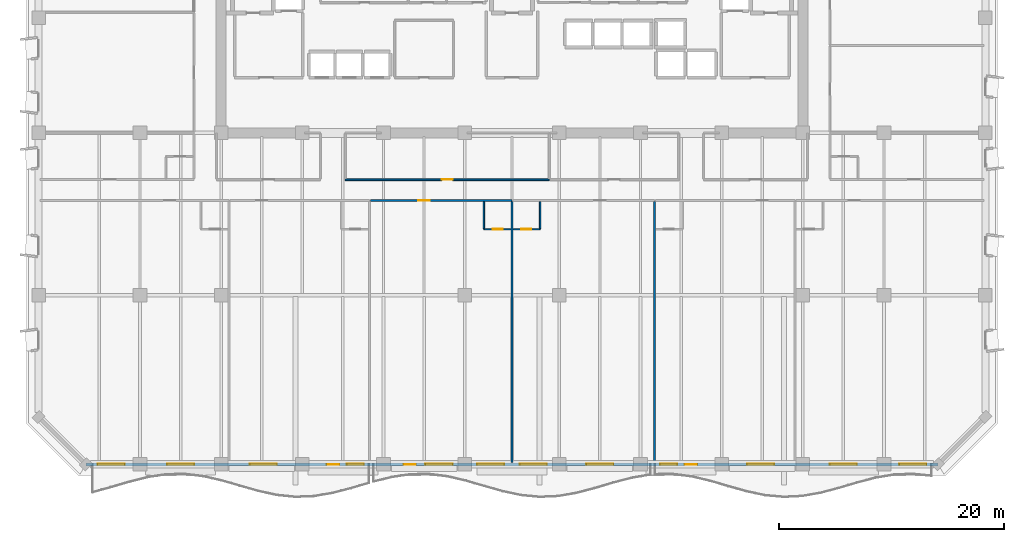
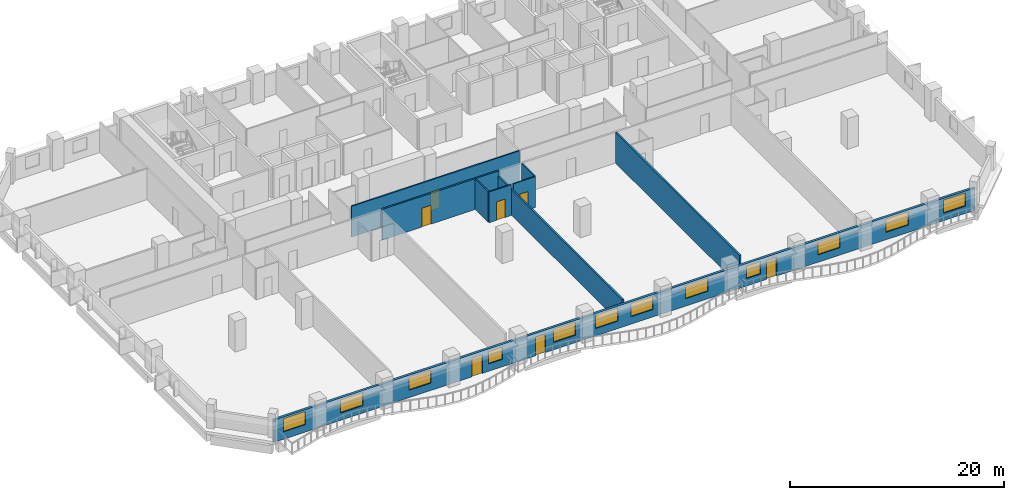
# One storey, part 5 of 15: 12 windows, 9 walls, 7 doors, 19 openings.
"""IFC4 building model written with IfcOpenShell, lengths in metres."""

from ifc_helpers import new_model, si_unit, direction, frame, frame_2d, origin, place, context, subcontext, project, spatial, rectangle, extrude, material, layer, layer_set, type_object, element, fill, save


model = new_model("IFC4")

# Units and contexts
model_context = context("Model", 3, precision=1e-05, world=origin(), true_north=direction((0.0, 1.0)))
body_context = subcontext(model_context, "Body", "Model", "MODEL_VIEW")
ifc_project = project(units=[si_unit("LENGTHUNIT", "METRE"), si_unit("AREAUNIT", "SQUARE_METRE"), si_unit("VOLUMEUNIT", "CUBIC_METRE"), si_unit("PLANEANGLEUNIT", "RADIAN"), si_unit("MASSUNIT", "GRAM", prefix="KILO")], contexts=[model_context])

# Site, building, storey
site_placement = place(None, origin())
site = spatial("IfcSite", under=ifc_project, at=site_placement, CompositionType="ELEMENT")
building_placement = place(site_placement, origin())
building = spatial("IfcBuilding", under=site, at=building_placement, Name="Kaelvorn Grand Hotel", CompositionType="ELEMENT")
storey_placement = place(building_placement, frame((0.0, 0.0, 108.050048828125)))
storey = spatial("IfcBuildingStorey", under=building, at=storey_placement, Name="L25", CompositionType="ELEMENT", Elevation=108.050048828125)

# Wall, openings, doors, windows
ifc_material_1 = material(Name="Concrete C40/50", Category="concrete")
ifc_layer_1 = layer(ifc_material_1, 0.260009765625)
ifc_layer_set_1 = layer_set([ifc_layer_1], Name="Concrete C40/50")
wall_type_1 = type_object("IfcWallType", Name="WL-EXT-260-C40", PredefinedType="SOLIDWALL", material=ifc_layer_set_1)
wall_1_placement = place(storey_placement, frame((4.199951171875, 0.0, 0.0), z_axis=(0.0, 0.0, 1.0), x_axis=(1.0, 0.0, 0.0)))
wall_1 = element("IfcWall", 1, at=wall_1_placement, inside=storey, type_object=wall_type_1, Name="L25 Exterior Architectural Concrete Wall 01", PredefinedType="SOLIDWALL", context=body_context, shape_type="SweptSolid", body=[
    extrude(rectangle(XDim=75.60009765625, YDim=0.260009765625, at=frame_2d((37.800048828125, 0.0))), origin(), (0.0, 0.0, 1.0), 2.56005859375),
])
opening_1_placement = place(wall_1_placement, frame((21.38330078125, 0.0, 0.0)))
opening_1 = element("IfcOpeningElement", 2, at=opening_1_placement, cuts=wall_1, Name="Opening DE2", PredefinedType="OPENING", context=body_context, shape_type="SweptSolid", body=[
    extrude(rectangle(XDim=1.10009765625, YDim=2.14990234375, at=frame_2d((0.550048828125, 1.074951171875))), frame((0.0, 0.14013671875, 0.0), z_axis=(0.0, -1.0, 0.0), x_axis=(1.0, 0.0, 0.0)), (0.0, 0.0, 1.0), 0.280029296875),
])
opening_2_placement = place(wall_1_placement, frame((28.183349609375, 0.0, 0.0)))
opening_2 = element("IfcOpeningElement", 3, at=opening_2_placement, cuts=wall_1, Name="Opening DE2", PredefinedType="OPENING", context=body_context, shape_type="SweptSolid", body=[
    extrude(rectangle(XDim=1.10009765625, YDim=2.14990234375, at=frame_2d((0.550048828125, 1.074951171875))), frame((0.0, 0.14013671875, 0.0), z_axis=(0.0, -1.0, 0.0), x_axis=(1.0, 0.0, 0.0)), (0.0, 0.0, 1.0), 0.280029296875),
])
opening_3_placement = place(wall_1_placement, frame((53.11669921875, 0.0, 0.0)))
opening_3 = element("IfcOpeningElement", 4, at=opening_3_placement, cuts=wall_1, Name="Opening DE2", PredefinedType="OPENING", context=body_context, shape_type="SweptSolid", body=[
    extrude(rectangle(XDim=1.10009765625, YDim=2.14990234375, at=frame_2d((0.550048828125, 1.074951171875))), frame((0.0, 0.14013671875, 0.0), z_axis=(0.0, -1.0, 0.0), x_axis=(1.0, 0.0, 0.0)), (0.0, 0.0, 1.0), 0.280029296875),
])
opening_4_placement = place(wall_1_placement, frame((1.034912109375, 0.0, 0.85009765625)))
opening_4 = element("IfcOpeningElement", 5, at=opening_4_placement, cuts=wall_1, Name="Opening W6", PredefinedType="OPENING", context=body_context, shape_type="SweptSolid", body=[
    extrude(rectangle(XDim=2.39990234375, YDim=1.5, at=frame_2d((1.199951171875, 0.75))), frame((0.0, 0.14013671875, 0.0), z_axis=(0.0, -1.0, 0.0), x_axis=(1.0, 0.0, 0.0)), (0.0, 0.0, 1.0), 0.280029296875),
])
opening_5_placement = place(wall_1_placement, frame((7.199951171875, 0.0, 0.85009765625)))
opening_5 = element("IfcOpeningElement", 6, at=opening_5_placement, cuts=wall_1, Name="Opening W6", PredefinedType="OPENING", context=body_context, shape_type="SweptSolid", body=[
    extrude(rectangle(XDim=2.39990234375, YDim=1.5, at=frame_2d((1.199951171875, 0.75))), frame((0.0, 0.14013671875, 0.0), z_axis=(0.0, -1.0, 0.0), x_axis=(1.0, 0.0, 0.0)), (0.0, 0.0, 1.0), 0.280029296875),
])
opening_6_placement = place(wall_1_placement, frame((14.550048828125, 0.0, 0.85009765625)))
opening_6 = element("IfcOpeningElement", 7, at=opening_6_placement, cuts=wall_1, Name="Opening W6", PredefinedType="OPENING", context=body_context, shape_type="SweptSolid", body=[
    extrude(rectangle(XDim=2.39990234375, YDim=1.5, at=frame_2d((1.199951171875, 0.75))), frame((0.0, 0.14013671875, 0.0), z_axis=(0.0, -1.0, 0.0), x_axis=(1.0, 0.0, 0.0)), (0.0, 0.0, 1.0), 0.280029296875),
])
opening_7_placement = place(wall_1_placement, frame((23.151123046875, 0.0, 0.85009765625)))
opening_7 = element("IfcOpeningElement", 8, at=opening_7_placement, cuts=wall_1, Name="Opening W10", PredefinedType="OPENING", context=body_context, shape_type="SweptSolid", body=[
    extrude(rectangle(XDim=1.5, YDim=1.39990234375, at=frame_2d((0.75, 0.699951171875))), frame((0.0, 0.14013671875, 0.0), z_axis=(0.0, -1.0, 0.0), x_axis=(1.0, 0.0, 0.0)), (0.0, 0.0, 1.0), 0.280029296875),
])
opening_8_placement = place(wall_1_placement, frame((30.126708984375, 0.0, 0.85009765625)))
opening_8 = element("IfcOpeningElement", 9, at=opening_8_placement, cuts=wall_1, Name="Opening W6", PredefinedType="OPENING", context=body_context, shape_type="SweptSolid", body=[
    extrude(rectangle(XDim=2.39990234375, YDim=1.5, at=frame_2d((1.199951171875, 0.75))), frame((0.0, 0.14013671875, 0.0), z_axis=(0.0, -1.0, 0.0), x_axis=(1.0, 0.0, 0.0)), (0.0, 0.0, 1.0), 0.280029296875),
])
opening_9_placement = place(wall_1_placement, frame((34.699951171875, 0.0, 0.85009765625)))
opening_9 = element("IfcOpeningElement", 10, at=opening_9_placement, cuts=wall_1, Name="Opening W6", PredefinedType="OPENING", context=body_context, shape_type="SweptSolid", body=[
    extrude(rectangle(XDim=2.39990234375, YDim=1.5, at=frame_2d((1.199951171875, 0.75))), frame((0.0, 0.14013671875, 0.0), z_axis=(0.0, -1.0, 0.0), x_axis=(1.0, 0.0, 0.0)), (0.0, 0.0, 1.0), 0.280029296875),
])
opening_10_placement = place(wall_1_placement, frame((38.5, 0.0, 0.85009765625)))
opening_10 = element("IfcOpeningElement", 11, at=opening_10_placement, cuts=wall_1, Name="Opening W6", PredefinedType="OPENING", context=body_context, shape_type="SweptSolid", body=[
    extrude(rectangle(XDim=2.39990234375, YDim=1.5, at=frame_2d((1.199951171875, 0.75))), frame((0.0, 0.14013671875, 0.0), z_axis=(0.0, -1.0, 0.0), x_axis=(1.0, 0.0, 0.0)), (0.0, 0.0, 1.0), 0.280029296875),
])
opening_11_placement = place(wall_1_placement, frame((44.39990234375, 0.0, 0.85009765625)))
opening_11 = element("IfcOpeningElement", 12, at=opening_11_placement, cuts=wall_1, Name="Opening W6", PredefinedType="OPENING", context=body_context, shape_type="SweptSolid", body=[
    extrude(rectangle(XDim=2.39990234375, YDim=1.5, at=frame_2d((1.199951171875, 0.75))), frame((0.0, 0.14013671875, 0.0), z_axis=(0.0, -1.0, 0.0), x_axis=(1.0, 0.0, 0.0)), (0.0, 0.0, 1.0), 0.280029296875),
])
opening_12_placement = place(wall_1_placement, frame((50.948974609375, 0.0, 0.85009765625)))
opening_12 = element("IfcOpeningElement", 13, at=opening_12_placement, cuts=wall_1, Name="Opening W10", PredefinedType="OPENING", context=body_context, shape_type="SweptSolid", body=[
    extrude(rectangle(XDim=1.5, YDim=1.39990234375, at=frame_2d((0.75, 0.699951171875))), frame((0.0, 0.14013671875, 0.0), z_axis=(0.0, -1.0, 0.0), x_axis=(1.0, 0.0, 0.0)), (0.0, 0.0, 1.0), 0.280029296875),
])
opening_13_placement = place(wall_1_placement, frame((58.64990234375, 0.0, 0.85009765625)))
opening_13 = element("IfcOpeningElement", 14, at=opening_13_placement, cuts=wall_1, Name="Opening W6", PredefinedType="OPENING", context=body_context, shape_type="SweptSolid", body=[
    extrude(rectangle(XDim=2.39990234375, YDim=1.5, at=frame_2d((1.199951171875, 0.75))), frame((0.0, 0.14013671875, 0.0), z_axis=(0.0, -1.0, 0.0), x_axis=(1.0, 0.0, 0.0)), (0.0, 0.0, 1.0), 0.280029296875),
])
opening_14_placement = place(wall_1_placement, frame((66.0, 0.0, 0.85009765625)))
opening_14 = element("IfcOpeningElement", 15, at=opening_14_placement, cuts=wall_1, Name="Opening W6", PredefinedType="OPENING", context=body_context, shape_type="SweptSolid", body=[
    extrude(rectangle(XDim=2.39990234375, YDim=1.5, at=frame_2d((1.199951171875, 0.75))), frame((0.0, 0.14013671875, 0.0), z_axis=(0.0, -1.0, 0.0), x_axis=(1.0, 0.0, 0.0)), (0.0, 0.0, 1.0), 0.280029296875),
])
opening_15_placement = place(wall_1_placement, frame((72.1650390625, 0.0, 0.85009765625)))
opening_15 = element("IfcOpeningElement", 16, at=opening_15_placement, cuts=wall_1, Name="Opening W6", PredefinedType="OPENING", context=body_context, shape_type="SweptSolid", body=[
    extrude(rectangle(XDim=2.39990234375, YDim=1.5, at=frame_2d((1.199951171875, 0.75))), frame((0.0, 0.14013671875, 0.0), z_axis=(0.0, -1.0, 0.0), x_axis=(1.0, 0.0, 0.0)), (0.0, 0.0, 1.0), 0.280029296875),
])
ifc_material_2 = material(Name="Anodised Aluminium", Category="aluminium")
door_type_1 = type_object("IfcDoorType", Name="DR-EXT-BALC-1100x2150", OperationType="NOTDEFINED", PredefinedType="DOOR", material=ifc_material_2)
door_1_placement = place(opening_1_placement, origin())
door_1 = element("IfcDoor", 17, at=door_1_placement, inside=storey, type_object=door_type_1, Name="L25 Scalloped Balcony Glazed Door DE2-1", OperationType="SINGLE_SWING_LEFT", OverallHeight=2.14990234375, OverallWidth=1.10009765625, PredefinedType="DOOR", context=body_context, shape_type="SweptSolid", body=[
    extrude(rectangle(XDim=1.10009765625, YDim=2.14990234375, at=frame_2d((0.550048828125, 1.074951171875))), frame((0.0, 0.02490234375, 0.0), z_axis=(0.0, -1.0, 0.0), x_axis=(1.0, 0.0, 0.0)), (0.0, 0.0, 1.0), 0.050048828125),
])
fill(opening_1, door_1)
door_2_placement = place(opening_2_placement, origin())
door_2 = element("IfcDoor", 18, at=door_2_placement, inside=storey, type_object=door_type_1, Name="L25 Scalloped Balcony Glazed Door DE2-2", OperationType="SINGLE_SWING_RIGHT", OverallHeight=2.14990234375, OverallWidth=1.10009765625, PredefinedType="DOOR", context=body_context, shape_type="SweptSolid", body=[
    extrude(rectangle(XDim=1.10009765625, YDim=2.14990234375, at=frame_2d((0.550048828125, 1.074951171875))), frame((0.0, 0.02490234375, 0.0), z_axis=(0.0, -1.0, 0.0), x_axis=(1.0, 0.0, 0.0)), (0.0, 0.0, 1.0), 0.050048828125),
])
fill(opening_2, door_2)
door_3_placement = place(opening_3_placement, origin())
door_3 = element("IfcDoor", 19, at=door_3_placement, inside=storey, type_object=door_type_1, Name="L25 Scalloped Balcony Glazed Door DE2-3", OperationType="SINGLE_SWING_LEFT", OverallHeight=2.14990234375, OverallWidth=1.10009765625, PredefinedType="DOOR", context=body_context, shape_type="SweptSolid", body=[
    extrude(rectangle(XDim=1.10009765625, YDim=2.14990234375, at=frame_2d((0.550048828125, 1.074951171875))), frame((0.0, 0.02490234375, 0.0), z_axis=(0.0, -1.0, 0.0), x_axis=(1.0, 0.0, 0.0)), (0.0, 0.0, 1.0), 0.050048828125),
])
fill(opening_3, door_3)
ifc_material_3 = material(Name="Laminated Low-E Glass", Category="glass")
window_type_1 = type_object("IfcWindowType", Name="WIN-COR-1500x1400", PartitioningType="SINGLE_PANEL", PredefinedType="WINDOW", material=ifc_material_3)
window_1_placement = place(opening_7_placement, origin())
window_1 = element("IfcWindow", 20, at=window_1_placement, inside=storey, type_object=window_type_1, Name="L25 South Guestroom Ribbon Window SR04", OverallHeight=1.39990234375, OverallWidth=1.5, PartitioningType="SINGLE_PANEL", PredefinedType="WINDOW", context=body_context, shape_type="SweptSolid", body=[
    extrude(rectangle(XDim=1.5, YDim=1.39990234375, at=frame_2d((0.75, 0.699951171875))), frame((0.0, 0.030029296875, 0.0), z_axis=(0.0, -1.0, 0.0), x_axis=(1.0, 0.0, 0.0)), (0.0, 0.0, 1.0), 0.06005859375),
])
fill(opening_7, window_1)
window_2_placement = place(opening_12_placement, origin())
window_2 = element("IfcWindow", 21, at=window_2_placement, inside=storey, type_object=window_type_1, Name="L25 South Guestroom Ribbon Window SR09", OverallHeight=1.39990234375, OverallWidth=1.5, PartitioningType="SINGLE_PANEL", PredefinedType="WINDOW", context=body_context, shape_type="SweptSolid", body=[
    extrude(rectangle(XDim=1.5, YDim=1.39990234375, at=frame_2d((0.75, 0.699951171875))), frame((0.0, 0.030029296875, 0.0), z_axis=(0.0, -1.0, 0.0), x_axis=(1.0, 0.0, 0.0)), (0.0, 0.0, 1.0), 0.06005859375),
])
fill(opening_12, window_2)
window_type_2 = type_object("IfcWindowType", Name="WIN-NTH-2400x1500", PartitioningType="SINGLE_PANEL", PredefinedType="WINDOW", material=ifc_material_3)
window_3_placement = place(opening_4_placement, origin())
window_3 = element("IfcWindow", 22, at=window_3_placement, inside=storey, type_object=window_type_2, Name="L25 South Guestroom Ribbon Window SR01", OverallHeight=1.5, OverallWidth=2.39990234375, PartitioningType="SINGLE_PANEL", PredefinedType="WINDOW", context=body_context, shape_type="SweptSolid", body=[
    extrude(rectangle(XDim=2.39990234375, YDim=1.5, at=frame_2d((1.199951171875, 0.75))), frame((0.0, 0.030029296875, 0.0), z_axis=(0.0, -1.0, 0.0), x_axis=(1.0, 0.0, 0.0)), (0.0, 0.0, 1.0), 0.06005859375),
])
fill(opening_4, window_3)
window_4_placement = place(opening_5_placement, origin())
window_4 = element("IfcWindow", 23, at=window_4_placement, inside=storey, type_object=window_type_2, Name="L25 South Guestroom Ribbon Window SR02", OverallHeight=1.5, OverallWidth=2.39990234375, PartitioningType="SINGLE_PANEL", PredefinedType="WINDOW", context=body_context, shape_type="SweptSolid", body=[
    extrude(rectangle(XDim=2.39990234375, YDim=1.5, at=frame_2d((1.199951171875, 0.75))), frame((0.0, 0.030029296875, 0.0), z_axis=(0.0, -1.0, 0.0), x_axis=(1.0, 0.0, 0.0)), (0.0, 0.0, 1.0), 0.06005859375),
])
fill(opening_5, window_4)
window_5_placement = place(opening_6_placement, origin())
window_5 = element("IfcWindow", 24, at=window_5_placement, inside=storey, type_object=window_type_2, Name="L25 South Guestroom Ribbon Window SR03", OverallHeight=1.5, OverallWidth=2.39990234375, PartitioningType="SINGLE_PANEL", PredefinedType="WINDOW", context=body_context, shape_type="SweptSolid", body=[
    extrude(rectangle(XDim=2.39990234375, YDim=1.5, at=frame_2d((1.199951171875, 0.75))), frame((0.0, 0.030029296875, 0.0), z_axis=(0.0, -1.0, 0.0), x_axis=(1.0, 0.0, 0.0)), (0.0, 0.0, 1.0), 0.06005859375),
])
fill(opening_6, window_5)
window_6_placement = place(opening_8_placement, origin())
window_6 = element("IfcWindow", 25, at=window_6_placement, inside=storey, type_object=window_type_2, Name="L25 South Guestroom Ribbon Window SR05", OverallHeight=1.5, OverallWidth=2.39990234375, PartitioningType="SINGLE_PANEL", PredefinedType="WINDOW", context=body_context, shape_type="SweptSolid", body=[
    extrude(rectangle(XDim=2.39990234375, YDim=1.5, at=frame_2d((1.199951171875, 0.75))), frame((0.0, 0.030029296875, 0.0), z_axis=(0.0, -1.0, 0.0), x_axis=(1.0, 0.0, 0.0)), (0.0, 0.0, 1.0), 0.06005859375),
])
fill(opening_8, window_6)
window_7_placement = place(opening_9_placement, origin())
window_7 = element("IfcWindow", 26, at=window_7_placement, inside=storey, type_object=window_type_2, Name="L25 South Guestroom Ribbon Window SR06", OverallHeight=1.5, OverallWidth=2.39990234375, PartitioningType="SINGLE_PANEL", PredefinedType="WINDOW", context=body_context, shape_type="SweptSolid", body=[
    extrude(rectangle(XDim=2.39990234375, YDim=1.5, at=frame_2d((1.199951171875, 0.75))), frame((0.0, 0.030029296875, 0.0), z_axis=(0.0, -1.0, 0.0), x_axis=(1.0, 0.0, 0.0)), (0.0, 0.0, 1.0), 0.06005859375),
])
fill(opening_9, window_7)
window_8_placement = place(opening_10_placement, origin())
window_8 = element("IfcWindow", 27, at=window_8_placement, inside=storey, type_object=window_type_2, Name="L25 South Guestroom Ribbon Window SR07", OverallHeight=1.5, OverallWidth=2.39990234375, PartitioningType="SINGLE_PANEL", PredefinedType="WINDOW", context=body_context, shape_type="SweptSolid", body=[
    extrude(rectangle(XDim=2.39990234375, YDim=1.5, at=frame_2d((1.199951171875, 0.75))), frame((0.0, 0.030029296875, 0.0), z_axis=(0.0, -1.0, 0.0), x_axis=(1.0, 0.0, 0.0)), (0.0, 0.0, 1.0), 0.06005859375),
])
fill(opening_10, window_8)
window_9_placement = place(opening_11_placement, origin())
window_9 = element("IfcWindow", 28, at=window_9_placement, inside=storey, type_object=window_type_2, Name="L25 South Guestroom Ribbon Window SR08", OverallHeight=1.5, OverallWidth=2.39990234375, PartitioningType="SINGLE_PANEL", PredefinedType="WINDOW", context=body_context, shape_type="SweptSolid", body=[
    extrude(rectangle(XDim=2.39990234375, YDim=1.5, at=frame_2d((1.199951171875, 0.75))), frame((0.0, 0.030029296875, 0.0), z_axis=(0.0, -1.0, 0.0), x_axis=(1.0, 0.0, 0.0)), (0.0, 0.0, 1.0), 0.06005859375),
])
fill(opening_11, window_9)
window_10_placement = place(opening_13_placement, origin())
window_10 = element("IfcWindow", 29, at=window_10_placement, inside=storey, type_object=window_type_2, Name="L25 South Guestroom Ribbon Window SR10", OverallHeight=1.5, OverallWidth=2.39990234375, PartitioningType="SINGLE_PANEL", PredefinedType="WINDOW", context=body_context, shape_type="SweptSolid", body=[
    extrude(rectangle(XDim=2.39990234375, YDim=1.5, at=frame_2d((1.199951171875, 0.75))), frame((0.0, 0.030029296875, 0.0), z_axis=(0.0, -1.0, 0.0), x_axis=(1.0, 0.0, 0.0)), (0.0, 0.0, 1.0), 0.06005859375),
])
fill(opening_13, window_10)
window_11_placement = place(opening_14_placement, origin())
window_11 = element("IfcWindow", 30, at=window_11_placement, inside=storey, type_object=window_type_2, Name="L25 South Guestroom Ribbon Window SR11", OverallHeight=1.5, OverallWidth=2.39990234375, PartitioningType="SINGLE_PANEL", PredefinedType="WINDOW", context=body_context, shape_type="SweptSolid", body=[
    extrude(rectangle(XDim=2.39990234375, YDim=1.5, at=frame_2d((1.199951171875, 0.75))), frame((0.0, 0.030029296875, 0.0), z_axis=(0.0, -1.0, 0.0), x_axis=(1.0, 0.0, 0.0)), (0.0, 0.0, 1.0), 0.06005859375),
])
fill(opening_14, window_11)
window_12_placement = place(opening_15_placement, origin())
window_12 = element("IfcWindow", 31, at=window_12_placement, inside=storey, type_object=window_type_2, Name="L25 South Guestroom Ribbon Window SR12", OverallHeight=1.5, OverallWidth=2.39990234375, PartitioningType="SINGLE_PANEL", PredefinedType="WINDOW", context=body_context, shape_type="SweptSolid", body=[
    extrude(rectangle(XDim=2.39990234375, YDim=1.5, at=frame_2d((1.199951171875, 0.75))), frame((0.0, 0.030029296875, 0.0), z_axis=(0.0, -1.0, 0.0), x_axis=(1.0, 0.0, 0.0)), (0.0, 0.0, 1.0), 0.06005859375),
])
fill(opening_15, window_12)

# Wall, opening, door
ifc_material_4 = material(Name="Moisture-Resistant Tile & Stud Board")
ifc_layer_2 = layer(ifc_material_4, 0.125)
ifc_layer_set_2 = layer_set([ifc_layer_2], Name="Moisture-Resistant Tile & Stud Board")
wall_type_2 = type_object("IfcWallType", Name="WL-PART-125-WET", PredefinedType="PARTITIONING", material=ifc_layer_set_2)
wall_2_placement = place(storey_placement, frame((39.5, 20.85009765625, 0.0), z_axis=(0.0, 0.0, 1.0), x_axis=(1.0, 0.0, 0.0)))
wall_2 = element("IfcWall", 32, at=wall_2_placement, inside=storey, type_object=wall_type_2, Name="L25 En-suite Bathroom L25-03 S Partition", PredefinedType="PARTITIONING", context=body_context, shape_type="SweptSolid", body=[
    extrude(rectangle(XDim=2.405029296875, YDim=0.125, at=frame_2d((1.20263671875, 0.0))), origin(), (0.0, 0.0, 1.0), 3.510009765625),
])
opening_16_placement = place(wall_2_placement, frame((0.800048828125, 0.0, 0.0)))
opening_16 = element("IfcOpeningElement", 33, at=opening_16_placement, cuts=wall_2, Name="Opening DI4", PredefinedType="OPENING", context=body_context, shape_type="SweptSolid", body=[
    extrude(rectangle(XDim=0.89990234375, YDim=2.10009765625, at=frame_2d((0.449951171875, 1.050048828125))), frame((0.0, 0.072509765625, 0.0), z_axis=(0.0, -1.0, 0.0), x_axis=(1.0, 0.0, 0.0)), (0.0, 0.0, 1.0), 0.14501953125),
])
ifc_material_5 = material(Name="Timber Veneer Leaf", Category="wood")
door_type_2 = type_object("IfcDoorType", Name="DR-INT-BATH-900x2100", OperationType="NOTDEFINED", PredefinedType="DOOR", material=ifc_material_5)
door_4_placement = place(opening_16_placement, origin())
door_4 = element("IfcDoor", 34, at=door_4_placement, inside=storey, type_object=door_type_2, Name="L25 En-suite Bathroom L25-03 Door", OperationType="SINGLE_SWING_LEFT", OverallHeight=2.10009765625, OverallWidth=0.89990234375, PredefinedType="DOOR", context=body_context, shape_type="SweptSolid", body=[
    extrude(rectangle(XDim=0.89990234375, YDim=2.10009765625, at=frame_2d((0.449951171875, 1.050048828125))), frame((0.0, 0.02490234375, 0.0), z_axis=(0.0, -1.0, 0.0), x_axis=(1.0, 0.0, 0.0)), (0.0, 0.0, 1.0), 0.050048828125),
])
fill(opening_16, door_4)

# Wall
wall_3_placement = place(storey_placement, frame((39.5, 20.91748046875, 0.0), z_axis=(0.0, 0.0, 1.0), x_axis=(0.0, 1.0, 0.0)))
element("IfcWall", 35, at=wall_3_placement, inside=storey, type_object=wall_type_2, Name="L25 En-suite Bathroom L25-03 W Partition", PredefinedType="PARTITIONING", context=body_context, shape_type="SweptSolid", body=[
    extrude(rectangle(XDim=2.387451171875, YDim=0.125, at=frame_2d((1.19384765625, 0.0))), origin(), (0.0, 0.0, 1.0), 3.510009765625),
])

# Wall, opening, door
wall_4_placement = place(storey_placement, frame((42.094970703125, 20.85009765625, 0.0), z_axis=(0.0, 0.0, 1.0), x_axis=(1.0, 0.0, 0.0)))
wall_4 = element("IfcWall", 36, at=wall_4_placement, inside=storey, type_object=wall_type_2, Name="L25 En-suite Bathroom L25-04 S Partition", PredefinedType="PARTITIONING", context=body_context, shape_type="SweptSolid", body=[
    extrude(rectangle(XDim=2.405029296875, YDim=0.125, at=frame_2d((1.20263671875, 0.0))), origin(), (0.0, 0.0, 1.0), 3.510009765625),
])
opening_17_placement = place(wall_4_placement, frame((0.705078125, 0.0, 0.0)))
opening_17 = element("IfcOpeningElement", 37, at=opening_17_placement, cuts=wall_4, Name="Opening DI4", PredefinedType="OPENING", context=body_context, shape_type="SweptSolid", body=[
    extrude(rectangle(XDim=0.89990234375, YDim=2.10009765625, at=frame_2d((0.449951171875, 1.050048828125))), frame((0.0, 0.072509765625, 0.0), z_axis=(0.0, -1.0, 0.0), x_axis=(1.0, 0.0, 0.0)), (0.0, 0.0, 1.0), 0.14501953125),
])
door_5_placement = place(opening_17_placement, origin())
door_5 = element("IfcDoor", 38, at=door_5_placement, inside=storey, type_object=door_type_2, Name="L25 En-suite Bathroom L25-04 Door", OperationType="SINGLE_SWING_LEFT", OverallHeight=2.10009765625, OverallWidth=0.89990234375, PredefinedType="DOOR", context=body_context, shape_type="SweptSolid", body=[
    extrude(rectangle(XDim=0.89990234375, YDim=2.10009765625, at=frame_2d((0.449951171875, 1.050048828125))), frame((0.0, 0.02490234375, 0.0), z_axis=(0.0, -1.0, 0.0), x_axis=(1.0, 0.0, 0.0)), (0.0, 0.0, 1.0), 0.050048828125),
])
fill(opening_17, door_5)

# Wall
wall_5_placement = place(storey_placement, frame((44.5, 20.91748046875, 0.0), z_axis=(0.0, 0.0, 1.0), x_axis=(0.0, 1.0, 0.0)))
element("IfcWall", 39, at=wall_5_placement, inside=storey, type_object=wall_type_2, Name="L25 En-suite Bathroom L25-04 E Partition", PredefinedType="PARTITIONING", context=body_context, shape_type="SweptSolid", body=[
    extrude(rectangle(XDim=2.387451171875, YDim=0.125, at=frame_2d((1.19384765625, 0.0))), origin(), (0.0, 0.0, 1.0), 3.510009765625),
])

# Wall, opening, door
ifc_material_6 = material(Name="Acoustic Gypsum & Stud Partition")
ifc_layer_3 = layer(ifc_material_6, 0.14990234375)
ifc_layer_set_3 = layer_set([ifc_layer_3], Name="Acoustic Gypsum & Stud Partition")
wall_type_3 = type_object("IfcWallType", Name="WL-PART-150-EI60", PredefinedType="PARTITIONING", material=ifc_layer_set_3)
wall_6_placement = place(storey_placement, frame((27.199951171875, 25.25, 0.0), z_axis=(0.0, 0.0, 1.0), x_axis=(1.0, 0.0, 0.0)))
wall_6 = element("IfcWall", 40, at=wall_6_placement, inside=storey, type_object=wall_type_3, Name="L25 Catering Servery Kitchen S Partition", PredefinedType="PARTITIONING", context=body_context, shape_type="SweptSolid", body=[
    extrude(rectangle(XDim=18.10009765625, YDim=0.14990234375, at=frame_2d((9.050048828125, 0.0))), origin(), (0.0, 0.0, 1.0), 3.510009765625),
])
opening_18_placement = place(wall_6_placement, frame((8.550048828125, 0.0, 0.0)))
opening_18 = element("IfcOpeningElement", 41, at=opening_18_placement, cuts=wall_6, Name="Opening DI3", PredefinedType="OPENING", context=body_context, shape_type="SweptSolid", body=[
    extrude(rectangle(XDim=1.0, YDim=2.14990234375, at=frame_2d((0.5, 1.074951171875))), frame((0.0, 0.0849609375, 0.0), z_axis=(0.0, -1.0, 0.0), x_axis=(1.0, 0.0, 0.0)), (0.0, 0.0, 1.0), 0.169921875),
])
ifc_material_7 = material(Name="Timber Veneer Fire Leaf", Category="wood")
door_type_3 = type_object("IfcDoorType", Name="DR-INT-GUEST-1000x2150", OperationType="NOTDEFINED", PredefinedType="DOOR", material=ifc_material_7)
door_6_placement = place(opening_18_placement, origin())
door_6 = element("IfcDoor", 42, at=door_6_placement, inside=storey, type_object=door_type_3, Name="L25 Catering Servery Kitchen Door", OperationType="SINGLE_SWING_LEFT", OverallHeight=2.14990234375, OverallWidth=1.0, PredefinedType="DOOR", context=body_context, shape_type="SweptSolid", body=[
    extrude(rectangle(XDim=1.0, YDim=2.14990234375, at=frame_2d((0.5, 1.074951171875))), frame((0.0, 0.02490234375, 0.0), z_axis=(0.0, -1.0, 0.0), x_axis=(1.0, 0.0, 0.0)), (0.0, 0.0, 1.0), 0.050048828125),
])
fill(opening_18, door_6)

ifc_layer_4 = layer(ifc_material_6, 0.179931640625)
ifc_layer_set_4 = layer_set([ifc_layer_4], Name="Acoustic Gypsum & Stud Partition")
wall_type_4 = type_object("IfcWallType", Name="WL-PART-180-EI60", PredefinedType="PARTITIONING", material=ifc_layer_set_4)
wall_7_placement = place(storey_placement, frame((29.444580078125, 23.39990234375, 0.0), z_axis=(0.0, 0.0, 1.0), x_axis=(1.0, 0.0, 0.0)))
wall_7 = element("IfcWall", 43, at=wall_7_placement, inside=storey, type_object=wall_type_4, Name="L25 Presidential Sky Suite L25-03 N Partition", PredefinedType="PARTITIONING", context=body_context, shape_type="SweptSolid", body=[
    extrude(rectangle(XDim=12.555419921875, YDim=0.179931640625, at=frame_2d((6.27783203125, 0.0))), origin(), (0.0, 0.0, 1.0), 3.510009765625),
])
opening_19_placement = place(wall_7_placement, frame((4.255615234375, 0.0, 0.0)))
opening_19 = element("IfcOpeningElement", 44, at=opening_19_placement, cuts=wall_7, Name="Opening DI3", PredefinedType="OPENING", context=body_context, shape_type="SweptSolid", body=[
    extrude(rectangle(XDim=1.0, YDim=2.14990234375, at=frame_2d((0.5, 1.074951171875))), frame((0.0, 0.10009765625, 0.0), z_axis=(0.0, -1.0, 0.0), x_axis=(1.0, 0.0, 0.0)), (0.0, 0.0, 1.0), 0.199951171875),
])
door_7_placement = place(opening_19_placement, origin())
door_7 = element("IfcDoor", 45, at=door_7_placement, inside=storey, type_object=door_type_3, Name="L25 Presidential Sky Suite L25-03 Door", OperationType="SINGLE_SWING_RIGHT", OverallHeight=2.14990234375, OverallWidth=1.0, PredefinedType="DOOR", context=body_context, shape_type="SweptSolid", body=[
    extrude(rectangle(XDim=1.0, YDim=2.14990234375, at=frame_2d((0.5, 1.074951171875))), frame((0.0, 0.02490234375, 0.0), z_axis=(0.0, -1.0, 0.0), x_axis=(1.0, 0.0, 0.0)), (0.0, 0.0, 1.0), 0.050048828125),
])
fill(opening_19, door_7)

# Walls
wall_8_placement = place(storey_placement, frame((42.0, 0.14990234375, 0.0), z_axis=(0.0, 0.0, 1.0), x_axis=(0.0, 1.0, 0.0)))
element("IfcWall", 46, at=wall_8_placement, inside=storey, type_object=wall_type_4, Name="L25 Presidential Sky Suite L25-03 E Partition", PredefinedType="PARTITIONING", context=body_context, shape_type="SweptSolid", body=[
    extrude(rectangle(XDim=23.155029296875, YDim=0.179931640625, at=frame_2d((11.57763671875, 0.0))), origin(), (0.0, 0.0, 1.0), 2.897705078125),
])
wall_9_placement = place(storey_placement, frame((54.650390625, 0.14990234375, 0.0), z_axis=(0.0, 0.0, 1.0), x_axis=(0.0, 1.0, 0.0)))
element("IfcWall", 47, at=wall_9_placement, inside=storey, type_object=wall_type_4, Name="L25 Presidential Sky Suite L25-04 E Partition", PredefinedType="PARTITIONING", context=body_context, shape_type="SweptSolid", body=[
    extrude(rectangle(XDim=23.155029296875, YDim=0.179931640625, at=frame_2d((11.57763671875, 0.0))), origin(), (0.0, 0.0, 1.0), 3.510009765625),
])

save(model, "model.ifc")
